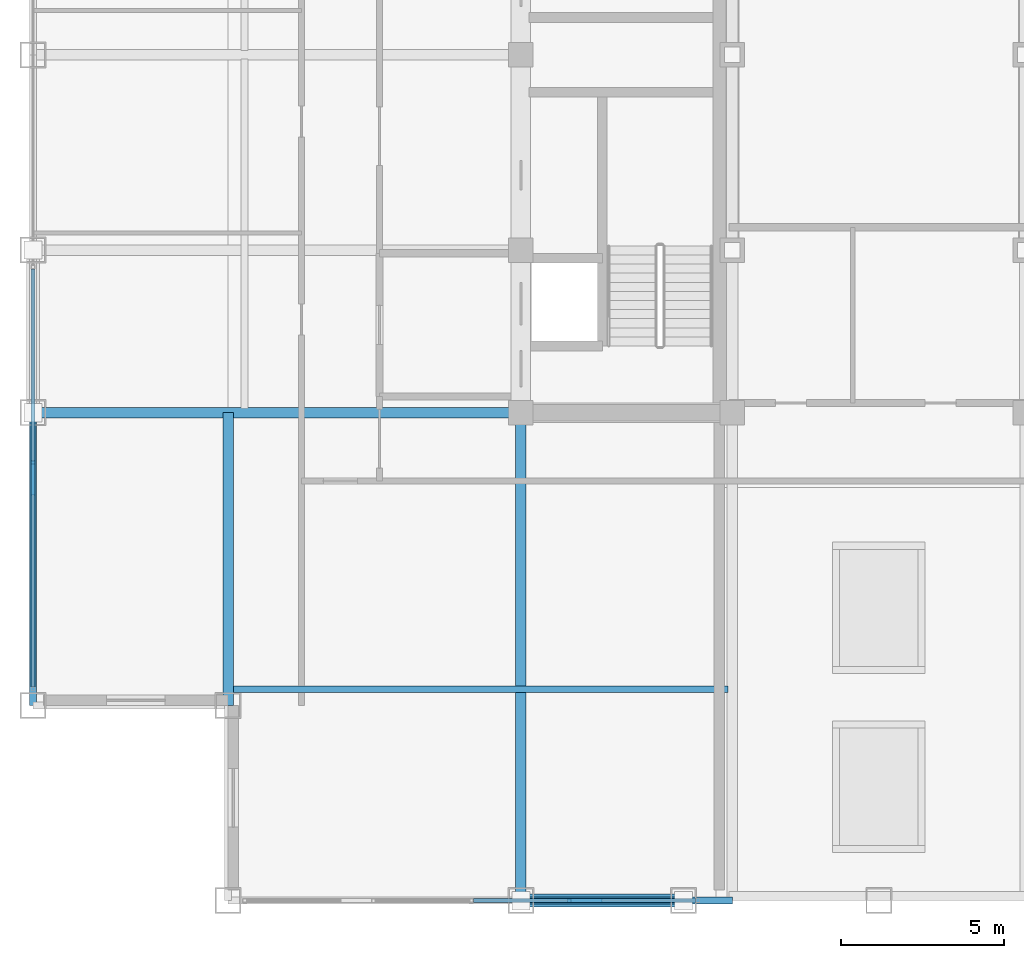
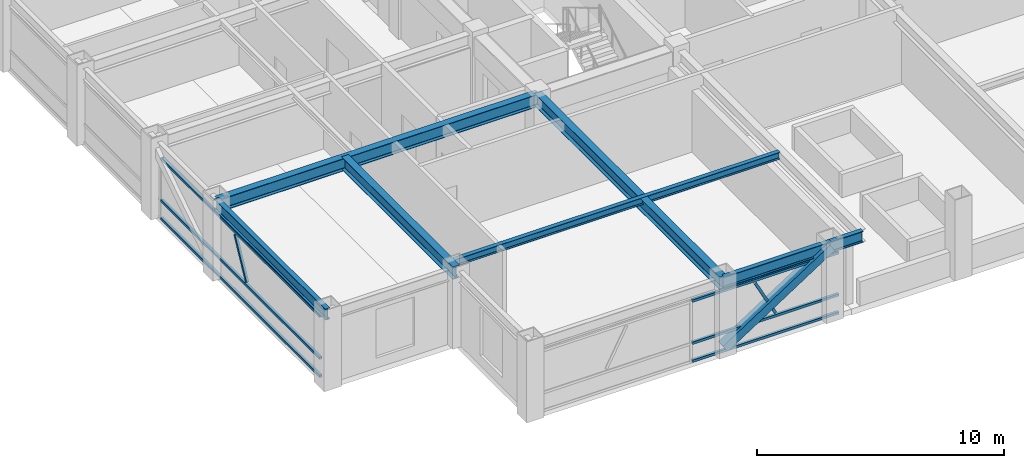
# One storey, part 3 of 29: 9 members, 7 beams, 2 elements without a shape of their own.
"""IFC4 building model written with IfcOpenShell, lengths in metres."""

from ifc_helpers import new_model, si_unit, direction, frame, origin, origin_2d, place, context, subcontext, project, spatial, hollow_rectangle, i_section, extrude, source, transform, mapped, material, material_profile, profile_set, type_object, element, aggregate, save


model = new_model("IFC4")

# Units and contexts
model_context = context("Model", 3, precision=1e-05, world=origin(), true_north=direction((0.0, 1.0)))
body_context = subcontext(model_context, "Body", "Model", "MODEL_VIEW")
ifc_project = project(units=[si_unit("LENGTHUNIT", "METRE"), si_unit("AREAUNIT", "SQUARE_METRE"), si_unit("VOLUMEUNIT", "CUBIC_METRE"), si_unit("PLANEANGLEUNIT", "RADIAN"), si_unit("MASSUNIT", "GRAM", prefix="KILO")], contexts=[model_context])

# Site, building, storey
site_placement = place(None, origin())
site = spatial("IfcSite", under=ifc_project, at=site_placement, CompositionType="ELEMENT")
building_placement = place(site_placement, origin())
building = spatial("IfcBuilding", under=site, at=building_placement, Name="Khorayat Bourse Tower", CompositionType="ELEMENT")
storey_placement = place(building_placement, frame((0.0, 0.0, 346.300048828125)))
storey = spatial("IfcBuildingStorey", under=building, at=storey_placement, Name="L82", CompositionType="ELEMENT", Elevation=346.300048828125)

# Beams
ifc_material_1 = material(Name="Steel ASTM A992 Grade 50", Category="steel")
ifc_material_profile_1 = material_profile(ifc_material_1, i_section(OverallWidth=0.214111328125, OverallDepth=0.549072265625, WebThickness=0.0146484375, FlangeThickness=0.023681640625, FilletRadius=0.013916015625, at=origin_2d()), Name="W530X138")
ifc_profile_set_1 = profile_set([ifc_material_profile_1], Name="Steel ASTM A992 Grade 50")
beam_type_1 = type_object("IfcBeamType", Name="BM-SPAN-530", PredefinedType="SPANDREL", material=ifc_profile_set_1)
shared_shape_1 = source(origin(), body_context, "Body", "SweptSolid", [
    extrude(i_section(OverallWidth=0.214111328125, OverallDepth=0.549072265625, WebThickness=0.0146484375, FlangeThickness=0.023681640625, FilletRadius=0.013916015625, at=origin_2d()), origin(), (0.0, 0.0, 1.0), 9.0),
])
beam_1_placement = place(storey_placement, frame((-26.0, -20.0, 3.46533203125), z_axis=(0.0, 1.0, 0.0), x_axis=(-1.0, 0.0, 0.0)))
element("IfcBeam", 1, at=beam_1_placement, inside=storey, type_object=beam_type_1, Name="L82 BM-SPAN-530 BM-L82-SPN-050", PredefinedType="SPANDREL", context=body_context, shape_type="MappedRepresentation", body=[
    mapped(shared_shape_1, transform((0.0, 0.0, 0.0), scale=1.0)),
])
shared_shape_2 = source(origin(), body_context, "Body", "SweptSolid", [
    extrude(i_section(OverallWidth=0.214111328125, OverallDepth=0.549072265625, WebThickness=0.0146484375, FlangeThickness=0.023681640625, FilletRadius=0.013916015625, at=origin_2d()), origin(), (0.0, 0.0, 1.0), 5.0),
])
beam_2_placement = place(storey_placement, frame((-11.0, -26.0, 3.46533203125), z_axis=(1.0, 0.0, 0.0), x_axis=(0.0, 1.0, 0.0)))
element("IfcBeam", 2, at=beam_2_placement, inside=storey, type_object=beam_type_1, Name="L82 BM-SPAN-530 BM-L82-SPN-022", PredefinedType="SPANDREL", context=body_context, shape_type="MappedRepresentation", body=[
    mapped(shared_shape_2, transform((0.0, 0.0, 0.0), scale=1.0)),
])
ifc_material_profile_2 = material_profile(ifc_material_1, i_section(OverallWidth=0.324951171875, OverallDepth=0.615966796875, WebThickness=0.013916015625, FlangeThickness=0.021484375, FilletRadius=0.01611328125, at=origin_2d()), Name="W610X174")
ifc_profile_set_2 = profile_set([ifc_material_profile_2], Name="Steel ASTM A992 Grade 50")
beam_type_2 = type_object("IfcBeamType", Name="BM-GIRD-610", PredefinedType="BEAM", material=ifc_profile_set_2)
shared_shape_3 = source(origin(), body_context, "Body", "SweptSolid", [
    extrude(i_section(OverallWidth=0.324951171875, OverallDepth=0.615966796875, WebThickness=0.013916015625, FlangeThickness=0.021484375, FilletRadius=0.01611328125, at=origin_2d()), origin(), (0.0, 0.0, 1.0), 15.0),
])
for number, where, z_axis, x_axis, name in (
    (3, (-11.0, -26.0, 3.431884765625), (0.0, 1.0, 0.0), (-1.0, 0.0, 0.0), "L82 BM-GIRD-610 BM-L82-RADY-054"),
    (4, (-26.0, -11.0, 3.431884765625), (1.0, 0.0, 0.0), (0.0, 1.0, 0.0), "L82 BM-GIRD-610 BM-L82-RADX-062"),
):
    element("IfcBeam", number, at=place(storey_placement, frame(where, z_axis=z_axis, x_axis=x_axis)), inside=storey, type_object=beam_type_2, Name=name, PredefinedType="BEAM", context=body_context, shape_type="MappedRepresentation", body=[
        mapped(shared_shape_3, transform((0.0, 0.0, 0.0), scale=1.0)),
    ])
shared_shape_4 = source(origin(), body_context, "Body", "SweptSolid", [
    extrude(i_section(OverallWidth=0.324951171875, OverallDepth=0.615966796875, WebThickness=0.013916015625, FlangeThickness=0.021484375, FilletRadius=0.01611328125, at=origin_2d()), origin(), (0.0, 0.0, 1.0), 9.0),
])
beam_3_placement = place(storey_placement, frame((-20.0, -20.0, 3.431884765625), z_axis=(0.0, 1.0, 0.0), x_axis=(-1.0, 0.0, 0.0)))
element("IfcBeam", 5, at=beam_3_placement, inside=storey, type_object=beam_type_2, Name="L82 BM-GIRD-610 BM-L82-CNRY-071", PredefinedType="BEAM", context=body_context, shape_type="MappedRepresentation", body=[
    mapped(shared_shape_4, transform((0.0, 0.0, 0.0), scale=1.0)),
])

# Member
ifc_material_2 = material(Name="Steel EN 10025-4 S460M", Category="steel")
ifc_material_profile_3 = material_profile(ifc_material_2, hollow_rectangle(XDim=0.39990234375, YDim=0.39990234375, WallThickness=0.02197265625, at=origin_2d()), Name="HSS 400x400x22")
ifc_profile_set_3 = profile_set([ifc_material_profile_3], Name="Steel EN 10025-4 S460M")
member_type_1 = type_object("IfcMemberType", Name="MBR-TUBE-400", PredefinedType="BRACE", material=ifc_profile_set_3)
shared_shape_5 = source(origin(), body_context, "Body", "SweptSolid", [
    extrude(hollow_rectangle(XDim=0.39990234375, YDim=0.39990234375, WallThickness=0.02197265625, at=origin_2d()), origin(), (0.0, 0.0, 1.0), 5.9580078125),
])
member_1_placement = place(storey_placement, frame((-11.0, -26.0, 0.25), z_axis=(0.839210474455, 0.0, 0.543806748364), x_axis=(0.0, 1.0, 0.0)))
element("IfcMember", 6, at=member_1_placement, inside=storey, type_object=member_type_1, Name="L82 Perimeter Tube Brace 01", PredefinedType="BRACE", context=body_context, shape_type="MappedRepresentation", body=[
    mapped(shared_shape_5, transform((0.0, 0.0, 0.0), scale=1.0)),
])

# Beams
shared_shape_6 = source(origin(), body_context, "Body", "SweptSolid", [
    extrude(i_section(OverallWidth=0.214111328125, OverallDepth=0.549072265625, WebThickness=0.0146484375, FlangeThickness=0.023681640625, FilletRadius=0.013916015625, at=origin_2d()), origin(), (0.0, 0.0, 1.0), 1.5),
])
beam_4_placement = place(storey_placement, frame((-6.0, -26.0, 3.46533203125), z_axis=(1.0, 0.0, 0.0), x_axis=(0.0, 1.0, 0.0)))
element("IfcBeam", 7, at=beam_4_placement, inside=storey, type_object=beam_type_1, Name="L82 BM-SPAN-530 BM-L82-SPN-023", PredefinedType="SPANDREL", context=body_context, shape_type="MappedRepresentation", body=[
    mapped(shared_shape_6, transform((0.0, 0.0, 0.0), scale=1.0)),
])
ifc_material_profile_4 = material_profile(ifc_material_1, i_section(OverallWidth=0.202880859375, OverallDepth=0.346923828125, WebThickness=0.0078125, FlangeThickness=0.013427734375, FilletRadius=0.010009765625, at=origin_2d()), Name="W360X64")
ifc_profile_set_4 = profile_set([ifc_material_profile_4], Name="Steel ASTM A992 Grade 50")
beam_type_3 = type_object("IfcBeamType", Name="BM-JOIST-360", PredefinedType="JOIST", material=ifc_profile_set_4)
shared_shape_7 = source(origin(), body_context, "Body", "SweptSolid", [
    extrude(i_section(OverallWidth=0.202880859375, OverallDepth=0.346923828125, WebThickness=0.0078125, FlangeThickness=0.013427734375, FilletRadius=0.010009765625, at=origin_2d()), origin(), (0.0, 0.0, 1.0), 15.240234375),
])
beam_5_placement = place(storey_placement, frame((-19.8701171875, -19.5, 3.56640625), z_axis=(1.0, 0.0, 0.0), x_axis=(0.0, 1.0, 0.0)))
element("IfcBeam", 8, at=beam_5_placement, inside=storey, type_object=beam_type_3, Name="L82 BM-JOIST-360 BM-L82-JSTX-075", PredefinedType="JOIST", context=body_context, shape_type="MappedRepresentation", body=[
    mapped(shared_shape_7, transform((0.0, 0.0, 0.0), scale=1.0)),
])

# Curtain wall, member
ifc_material_3 = material(Name="Aluminium EN AW-6063 T6", Category="aluminium")
curtain_wall_type = type_object("IfcCurtainWallType", Name="CW-SYS-06", PredefinedType="NOTDEFINED", material=ifc_material_3)
curtain_wall_1_placement = place(storey_placement, origin())
curtain_wall_1 = element("IfcCurtainWall", 9, at=curtain_wall_1_placement, inside=storey, type_object=curtain_wall_type, Name="L82 Curtain Wall CW-L82-S1", PredefinedType="NOTDEFINED")
ifc_material_profile_5 = material_profile(ifc_material_3, hollow_rectangle(XDim=0.1201171875, YDim=0.1201171875, WallThickness=0.0048828125, at=origin_2d()), Name="ALU 120x120x5")
ifc_profile_set_5 = profile_set([ifc_material_profile_5], Name="Aluminium EN AW-6063 T6")
member_type_2 = type_object("IfcMemberType", Name="CWM-DIAG-120", PredefinedType="MULLION", material=ifc_profile_set_5)
shared_shape_8 = source(origin(), body_context, "Body", "SweptSolid", [
    extrude(hollow_rectangle(XDim=0.1201171875, YDim=0.1201171875, WallThickness=0.0048828125, at=origin_2d()), origin(), (0.0, 0.0, 1.0), 2.0341796875),
])
member_2_placement = place(storey_placement, frame((-8.56884765625, -26.0, 1.08984375), z_axis=(-0.465696964104, 0.0, 0.884944256789), x_axis=(0.0, -1.0, 0.0)))
member_2 = element("IfcMember", 10, at=member_2_placement, type_object=member_type_2, Name="CW-L82-S1 Faceted Diagonal Mullion 2", PredefinedType="MULLION", context=body_context, shape_type="MappedRepresentation", body=[
    mapped(shared_shape_8, transform((0.0, 0.0, 0.0), scale=1.0)),
])

curtain_wall_2_placement = place(storey_placement, origin())
curtain_wall_2 = element("IfcCurtainWall", 11, at=curtain_wall_2_placement, inside=storey, type_object=curtain_wall_type, Name="L82 Curtain Wall CW-L82-W1", PredefinedType="NOTDEFINED")
member_3_placement = place(storey_placement, frame((-26.0, -13.47705078125, 1.08984375), z_axis=(0.0, 0.465790950955, 0.884894790361), x_axis=(-1.0, 0.0, 0.0)))
member_3 = element("IfcMember", 12, at=member_3_placement, type_object=member_type_2, Name="CW-L82-W1 Faceted Diagonal Mullion 3", PredefinedType="MULLION", context=body_context, shape_type="MappedRepresentation", body=[
    mapped(shared_shape_8, transform((0.0, 0.0, 0.0), scale=1.0)),
])

# Member
ifc_material_profile_6 = material_profile(ifc_material_3, hollow_rectangle(XDim=0.1201171875, YDim=0.1201171875, WallThickness=0.0048828125, at=origin_2d()), Name="ALU 120x120x5")
ifc_profile_set_6 = profile_set([ifc_material_profile_6], Name="Aluminium EN AW-6063 T6")
member_type_3 = type_object("IfcMemberType", Name="CWT-HORZ-120", PredefinedType="USERDEFINED", material=ifc_profile_set_6)
shared_shape_9 = source(origin(), body_context, "Body", "SweptSolid", [
    extrude(hollow_rectangle(XDim=0.1201171875, YDim=0.1201171875, WallThickness=0.0048828125, at=origin_2d()), origin(), (0.0, 0.0, 1.0), 6.844970703125),
])
member_4_placement = place(storey_placement, frame((-12.465087890625, -26.0, 0.06005859375), z_axis=(1.0, 0.0, 0.0), x_axis=(0.0, 1.0, 0.0)))
member_4 = element("IfcMember", 13, at=member_4_placement, type_object=member_type_3, Name="CW-L82-S1 Horizontal Transom 2-1", ObjectType="TRANSOM", PredefinedType="USERDEFINED", context=body_context, shape_type="MappedRepresentation", body=[
    mapped(shared_shape_9, transform((0.0, 0.0, 0.0), scale=1.0)),
])

member_5_placement = place(storey_placement, frame((-12.465087890625, -26.0, 0.949951171875), z_axis=(1.0, 0.0, 0.0), x_axis=(0.0, 1.0, 0.0)))
member_5 = element("IfcMember", 14, at=member_5_placement, type_object=member_type_3, Name="CW-L82-S1 Horizontal Transom 2-2", ObjectType="TRANSOM", PredefinedType="USERDEFINED", context=body_context, shape_type="MappedRepresentation", body=[
    mapped(shared_shape_9, transform((0.0, 0.0, 0.0), scale=1.0)),
])

member_6_placement = place(storey_placement, frame((-12.465087890625, -26.0, 3.030029296875), z_axis=(1.0, 0.0, 0.0), x_axis=(0.0, 1.0, 0.0)))
member_6 = element("IfcMember", 15, at=member_6_placement, type_object=member_type_3, Name="CW-L82-S1 Horizontal Transom 2-3", ObjectType="TRANSOM", PredefinedType="USERDEFINED", context=body_context, shape_type="MappedRepresentation", body=[
    mapped(shared_shape_9, transform((0.0, 0.0, 0.0), scale=1.0)),
])

aggregate(curtain_wall_1, [member_4, member_5, member_6, member_2])

shared_shape_10 = source(origin(), body_context, "Body", "SweptSolid", [
    extrude(hollow_rectangle(XDim=0.1201171875, YDim=0.1201171875, WallThickness=0.0048828125, at=origin_2d()), origin(), (0.0, 0.0, 1.0), 12.853271484375),
])
member_7_placement = place(storey_placement, frame((-26.0, -6.57666015625, 0.06005859375), z_axis=(0.0, -1.0, 0.0), x_axis=(1.0, 0.0, 0.0)))
member_7 = element("IfcMember", 16, at=member_7_placement, type_object=member_type_3, Name="CW-L82-W1 Horizontal Transom 3-1", ObjectType="TRANSOM", PredefinedType="USERDEFINED", context=body_context, shape_type="MappedRepresentation", body=[
    mapped(shared_shape_10, transform((0.0, 0.0, 0.0), scale=1.0)),
])

member_8_placement = place(storey_placement, frame((-26.0, -6.57666015625, 0.949951171875), z_axis=(0.0, -1.0, 0.0), x_axis=(1.0, 0.0, 0.0)))
member_8 = element("IfcMember", 17, at=member_8_placement, type_object=member_type_3, Name="CW-L82-W1 Horizontal Transom 3-2", ObjectType="TRANSOM", PredefinedType="USERDEFINED", context=body_context, shape_type="MappedRepresentation", body=[
    mapped(shared_shape_10, transform((0.0, 0.0, 0.0), scale=1.0)),
])

member_9_placement = place(storey_placement, frame((-26.0, -6.57666015625, 3.030029296875), z_axis=(0.0, -1.0, 0.0), x_axis=(1.0, 0.0, 0.0)))
member_9 = element("IfcMember", 18, at=member_9_placement, type_object=member_type_3, Name="CW-L82-W1 Horizontal Transom 3-3", ObjectType="TRANSOM", PredefinedType="USERDEFINED", context=body_context, shape_type="MappedRepresentation", body=[
    mapped(shared_shape_10, transform((0.0, 0.0, 0.0), scale=1.0)),
])

aggregate(curtain_wall_2, [member_7, member_8, member_9, member_3])

save(model, "model.ifc")
